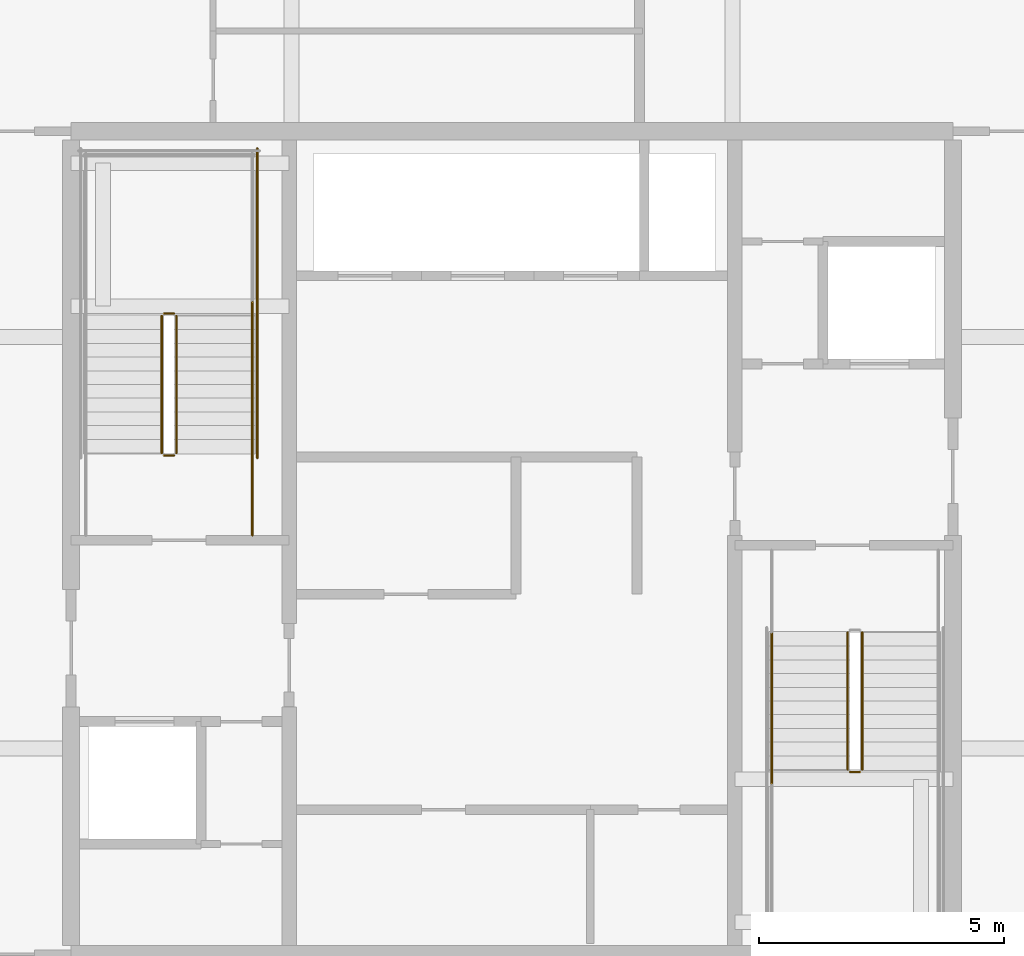
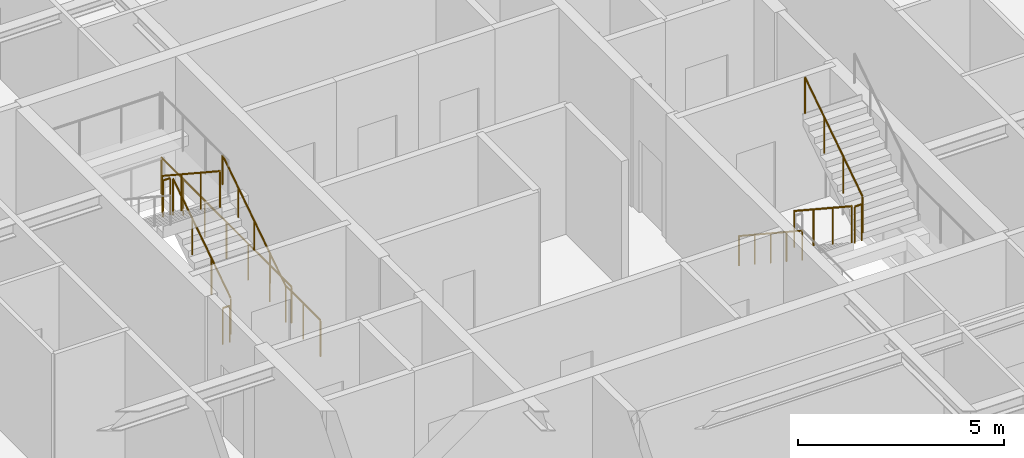
# One storey, part 39 of 42: 11 railings.
"""IFC4 building model written with IfcOpenShell, lengths in metres."""

from ifc_helpers import new_model, si_unit, direction, frame, origin, origin_2d, place, context, subcontext, project, spatial, circle, extrude, material, type_object, element, save


model = new_model("IFC4")

# Units and contexts
model_context = context("Model", 3, precision=1e-05, world=origin(), true_north=direction((0.0, 1.0)))
body_context = subcontext(model_context, "Body", "Model", "MODEL_VIEW")
ifc_project = project(units=[si_unit("LENGTHUNIT", "METRE"), si_unit("AREAUNIT", "SQUARE_METRE"), si_unit("VOLUMEUNIT", "CUBIC_METRE"), si_unit("PLANEANGLEUNIT", "RADIAN"), si_unit("MASSUNIT", "GRAM", prefix="KILO")], contexts=[model_context])

# Site, building, storey
site_placement = place(None, origin())
site = spatial("IfcSite", under=ifc_project, at=site_placement, CompositionType="ELEMENT")
building_placement = place(site_placement, origin())
building = spatial("IfcBuilding", under=site, at=building_placement, Name="Serunith Strait Residences", CompositionType="ELEMENT")
storey_placement = place(building_placement, frame((0.0, 0.0, 293.449951171875)))
storey = spatial("IfcBuildingStorey", under=building, at=storey_placement, Name="L73", CompositionType="ELEMENT", Elevation=293.449951171875)

# Railings
ifc_material = material(Name="Brushed stainless steel 316L", Category="steel")
railing_type_1 = type_object("IfcRailingType", Name="RLG-STAIR-GUARD", PredefinedType="BALUSTRADE", material=ifc_material)
railing_1_placement = place(storey_placement, frame((25.550048828125, 27.030029296875, 0.18408203125)))
element("IfcRailing", 1, at=railing_1_placement, inside=storey, type_object=railing_type_1, Name="L73 ST-1 stair guard 1", PredefinedType="BALUSTRADE", context=body_context, shape_type="SweptSolid", body=[
    extrude(circle(Radius=0.02392578125, at=origin_2d()), frame((0.0, 0.001708984375, 1.0771484375), z_axis=(0.0, 0.83556406348, 0.549393024911), x_axis=(-1.0, 0.0, 0.0)), (0.0, 0.0, 1.0), 3.34716796875),
    extrude(circle(Radius=0.02099609375, at=origin_2d()), origin(), (0.0, 0.0, 1.0), 1.050048828125),
    extrude(circle(Radius=0.02099609375, at=origin_2d()), frame((0.0, 0.933349609375, 0.61376953125)), (0.0, 0.0, 1.0), 1.050048828125),
    extrude(circle(Radius=0.02099609375, at=origin_2d()), frame((0.0, 1.86669921875, 1.227294921875)), (0.0, 0.0, 1.0), 1.050048828125),
    extrude(circle(Radius=0.02099609375, at=origin_2d()), frame((0.0, 2.800048828125, 1.841064453125)), (0.0, 0.0, 1.0), 1.050048828125),
])
railing_2_placement = place(storey_placement, frame((25.5, 29.8798828125, 2.025146484375)))
element("IfcRailing", 2, at=railing_2_placement, inside=storey, type_object=railing_type_1, Name="L73 ST-1 stair guard 2", PredefinedType="BALUSTRADE", context=body_context, shape_type="SweptSolid", body=[
    extrude(circle(Radius=0.02392578125, at=origin_2d()), frame((-0.001953125, 0.0, 1.076171875), z_axis=(-1.0, 0.0, 0.0), x_axis=(0.0, -1.0, 0.0)), (0.0, 0.0, 1.0), 0.196044921875),
    extrude(circle(Radius=0.02099609375, at=origin_2d()), origin(), (0.0, 0.0, 1.0), 1.050048828125),
    extrude(circle(Radius=0.02099609375, at=origin_2d()), frame((-0.199951171875, 0.0, 0.0)), (0.0, 0.0, 1.0), 1.050048828125),
])
railing_3_placement = place(storey_placement, frame((25.25, 29.830078125, 2.209228515625)))
element("IfcRailing", 3, at=railing_3_placement, inside=storey, type_object=railing_type_1, Name="L73 ST-1 stair guard 6", PredefinedType="BALUSTRADE", context=body_context, shape_type="SweptSolid", body=[
    extrude(circle(Radius=0.02392578125, at=origin_2d()), frame((0.0, -0.001708984375, 1.0771484375), z_axis=(0.0, -0.835597507184, 0.549342157483), x_axis=(1.0, 0.0, 0.0)), (0.0, 0.0, 1.0), 3.346923828125),
    extrude(circle(Radius=0.02099609375, at=origin_2d()), origin(), (0.0, 0.0, 1.0), 1.050048828125),
    extrude(circle(Radius=0.02099609375, at=origin_2d()), frame((0.0, -0.933349609375, 0.613525390625)), (0.0, 0.0, 1.0), 1.050048828125),
    extrude(circle(Radius=0.02099609375, at=origin_2d()), frame((0.0, -1.86669921875, 1.227294921875)), (0.0, 0.0, 1.0), 1.050048828125),
    extrude(circle(Radius=0.02099609375, at=origin_2d()), frame((0.0, -2.800048828125, 1.8408203125)), (0.0, 0.0, 1.0), 1.050048828125),
])
railing_4_placement = place(storey_placement, frame((25.5, 26.97998046875, 0.0)))
element("IfcRailing", 4, at=railing_4_placement, inside=storey, type_object=railing_type_1, Name="L73 ST-1 stair guard 7", PredefinedType="BALUSTRADE", context=body_context, shape_type="SweptSolid", body=[
    extrude(circle(Radius=0.02392578125, at=origin_2d()), frame((-0.001953125, 0.0, 1.076171875), z_axis=(-1.0, 0.0, 0.0), x_axis=(0.0, -1.0, 0.0)), (0.0, 0.0, 1.0), 0.196044921875),
    extrude(circle(Radius=0.02099609375, at=origin_2d()), origin(), (0.0, 0.0, 1.0), 1.050048828125),
    extrude(circle(Radius=0.02099609375, at=origin_2d()), frame((-0.199951171875, 0.0, 0.0)), (0.0, 0.0, 1.0), 1.050048828125),
])
railing_5_placement = place(storey_placement, frame((27.10009765625, 25.35009765625, 0.0)))
element("IfcRailing", 5, at=railing_5_placement, inside=storey, type_object=railing_type_1, Name="L73 ST-1 stair guard 8", PredefinedType="BALUSTRADE", context=body_context, shape_type="SweptSolid", body=[
    extrude(circle(Radius=0.02392578125, at=origin_2d()), frame((0.0, 0.001953125, 1.076171875), z_axis=(0.0, 1.0, 0.0), x_axis=(-1.0, 0.0, 0.0)), (0.0, 0.0, 1.0), 1.676025390625),
    extrude(circle(Radius=0.02099609375, at=origin_2d()), origin(), (0.0, 0.0, 1.0), 1.050048828125),
    extrude(circle(Radius=0.02099609375, at=origin_2d()), frame((0.0, 0.83984375, 0.0)), (0.0, 0.0, 1.0), 1.050048828125),
    extrude(circle(Radius=0.02099609375, at=origin_2d()), frame((0.0, 1.679931640625, 0.0)), (0.0, 0.0, 1.0), 1.050048828125),
])
railing_6_placement = place(storey_placement, frame((27.199951171875, 26.929931640625, 0.0)))
element("IfcRailing", 6, at=railing_6_placement, inside=storey, type_object=railing_type_1, Name="L73 ST-1 stair guard 10", PredefinedType="BALUSTRADE", context=body_context, shape_type="SweptSolid", body=[
    extrude(circle(Radius=0.02392578125, at=origin_2d()), frame((0.0, 0.001953125, 1.076171875), z_axis=(0.0, 1.0, 0.0), x_axis=(-1.0, 0.0, 0.0)), (0.0, 0.0, 1.0), 6.316162109375),
    extrude(circle(Radius=0.02099609375, at=origin_2d()), origin(), (0.0, 0.0, 1.0), 1.050048828125),
    extrude(circle(Radius=0.02099609375, at=origin_2d()), frame((0.0, 1.05322265625, 0.0)), (0.0, 0.0, 1.0), 1.050048828125),
    extrude(circle(Radius=0.02099609375, at=origin_2d()), frame((0.0, 2.106689453125, 0.0)), (0.0, 0.0, 1.0), 1.050048828125),
    extrude(circle(Radius=0.02099609375, at=origin_2d()), frame((0.0, 3.16015625, 0.0)), (0.0, 0.0, 1.0), 1.050048828125),
    extrude(circle(Radius=0.02099609375, at=origin_2d()), frame((0.0, 4.21337890625, 0.0)), (0.0, 0.0, 1.0), 1.050048828125),
    extrude(circle(Radius=0.02099609375, at=origin_2d()), frame((0.0, 5.2666015625, 0.0)), (0.0, 0.0, 1.0), 1.050048828125),
    extrude(circle(Radius=0.02099609375, at=origin_2d()), frame((0.0, 6.320068359375, 0.0)), (0.0, 0.0, 1.0), 1.050048828125),
])
railing_7_placement = place(storey_placement, frame((39.25, 23.3701171875, 0.18408203125)))
element("IfcRailing", 7, at=railing_7_placement, inside=storey, type_object=railing_type_1, Name="L73 ST-2 stair guard 1", PredefinedType="BALUSTRADE", context=body_context, shape_type="SweptSolid", body=[
    extrude(circle(Radius=0.02392578125, at=origin_2d()), frame((0.0, -0.001708984375, 1.0771484375), z_axis=(0.0, -0.83556406348, 0.549393024911), x_axis=(1.0, 0.0, 0.0)), (0.0, 0.0, 1.0), 3.34716796875),
    extrude(circle(Radius=0.02099609375, at=origin_2d()), origin(), (0.0, 0.0, 1.0), 1.050048828125),
    extrude(circle(Radius=0.02099609375, at=origin_2d()), frame((0.0, -0.933349609375, 0.61376953125)), (0.0, 0.0, 1.0), 1.050048828125),
    extrude(circle(Radius=0.02099609375, at=origin_2d()), frame((0.0, -1.86669921875, 1.227294921875)), (0.0, 0.0, 1.0), 1.050048828125),
    extrude(circle(Radius=0.02099609375, at=origin_2d()), frame((0.0, -2.800048828125, 1.841064453125)), (0.0, 0.0, 1.0), 1.050048828125),
])
railing_8_placement = place(storey_placement, frame((39.300048828125, 20.52001953125, 2.025146484375)))
element("IfcRailing", 8, at=railing_8_placement, inside=storey, type_object=railing_type_1, Name="L73 ST-2 stair guard 2", PredefinedType="BALUSTRADE", context=body_context, shape_type="SweptSolid", body=[
    extrude(circle(Radius=0.02392578125, at=origin_2d()), frame((0.001953125, 0.0, 1.076171875), z_axis=(1.0, 0.0, 0.0), x_axis=(0.0, 1.0, 0.0)), (0.0, 0.0, 1.0), 0.196044921875),
    extrude(circle(Radius=0.02099609375, at=origin_2d()), origin(), (0.0, 0.0, 1.0), 1.050048828125),
    extrude(circle(Radius=0.02099609375, at=origin_2d()), frame((0.199951171875, 0.0, 0.0)), (0.0, 0.0, 1.0), 1.050048828125),
])
railing_9_placement = place(storey_placement, frame((39.550048828125, 20.570068359375, 2.209228515625)))
element("IfcRailing", 9, at=railing_9_placement, inside=storey, type_object=railing_type_1, Name="L73 ST-2 stair guard 6", PredefinedType="BALUSTRADE", context=body_context, shape_type="SweptSolid", body=[
    extrude(circle(Radius=0.02392578125, at=origin_2d()), frame((0.0, 0.001708984375, 1.0771484375), z_axis=(0.0, 0.835597507184, 0.549342157483), x_axis=(-1.0, 0.0, 0.0)), (0.0, 0.0, 1.0), 3.346923828125),
    extrude(circle(Radius=0.02099609375, at=origin_2d()), origin(), (0.0, 0.0, 1.0), 1.050048828125),
    extrude(circle(Radius=0.02099609375, at=origin_2d()), frame((0.0, 0.933349609375, 0.613525390625)), (0.0, 0.0, 1.0), 1.050048828125),
    extrude(circle(Radius=0.02099609375, at=origin_2d()), frame((0.0, 1.86669921875, 1.227294921875)), (0.0, 0.0, 1.0), 1.050048828125),
    extrude(circle(Radius=0.02099609375, at=origin_2d()), frame((0.0, 2.800048828125, 1.8408203125)), (0.0, 0.0, 1.0), 1.050048828125),
])
railing_type_2 = type_object("IfcRailingType", Name="RLG-STAIR-HR", PredefinedType="HANDRAIL", material=ifc_material)
railing_10_placement = place(storey_placement, frame((27.10009765625, 27.030029296875, 0.18408203125)))
element("IfcRailing", 10, at=railing_10_placement, inside=storey, type_object=railing_type_2, Name="L73 ST-1 stair handrail 1", PredefinedType="HANDRAIL", context=body_context, shape_type="SweptSolid", body=[
    extrude(circle(Radius=0.02392578125, at=origin_2d()), frame((0.0, 0.001708984375, 0.876953125), z_axis=(0.0, 0.83496096917, 0.550309167616), x_axis=(-1.0, 0.0, 0.0)), (0.0, 0.0, 1.0), 3.684814453125),
    extrude(circle(Radius=0.02099609375, at=origin_2d()), origin(), (0.0, 0.0, 1.0), 0.849853515625),
    extrude(circle(Radius=0.02099609375, at=origin_2d()), frame((0.0, 0.77001953125, 0.507568359375)), (0.0, 0.0, 1.0), 0.849853515625),
    extrude(circle(Radius=0.02099609375, at=origin_2d()), frame((0.0, 1.5400390625, 1.01513671875)), (0.0, 0.0, 1.0), 0.849853515625),
    extrude(circle(Radius=0.02099609375, at=origin_2d()), frame((0.0, 2.31005859375, 1.5224609375)), (0.0, 0.0, 1.0), 0.849853515625),
    extrude(circle(Radius=0.02099609375, at=origin_2d()), frame((0.0, 3.080078125, 2.030029296875)), (0.0, 0.0, 1.0), 0.849853515625),
])
railing_11_placement = place(storey_placement, frame((37.699951171875, 23.3701171875, 0.18408203125)))
element("IfcRailing", 11, at=railing_11_placement, inside=storey, type_object=railing_type_2, Name="L73 ST-2 stair handrail 1", PredefinedType="HANDRAIL", context=body_context, shape_type="SweptSolid", body=[
    extrude(circle(Radius=0.02392578125, at=origin_2d()), frame((0.0, -0.001708984375, 0.876953125), z_axis=(0.0, -0.83496096917, 0.550309167616), x_axis=(1.0, 0.0, 0.0)), (0.0, 0.0, 1.0), 3.684814453125),
    extrude(circle(Radius=0.02099609375, at=origin_2d()), origin(), (0.0, 0.0, 1.0), 0.849853515625),
    extrude(circle(Radius=0.02099609375, at=origin_2d()), frame((0.0, -0.77001953125, 0.507568359375)), (0.0, 0.0, 1.0), 0.849853515625),
    extrude(circle(Radius=0.02099609375, at=origin_2d()), frame((0.0, -1.5400390625, 1.01513671875)), (0.0, 0.0, 1.0), 0.849853515625),
    extrude(circle(Radius=0.02099609375, at=origin_2d()), frame((0.0, -2.31005859375, 1.5224609375)), (0.0, 0.0, 1.0), 0.849853515625),
    extrude(circle(Radius=0.02099609375, at=origin_2d()), frame((0.0, -3.080078125, 2.030029296875)), (0.0, 0.0, 1.0), 0.849853515625),
])

save(model, "model.ifc")
